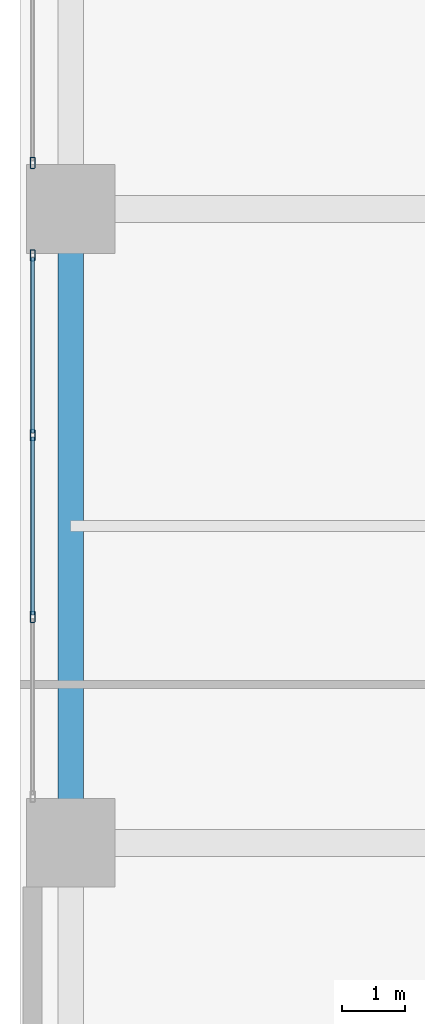
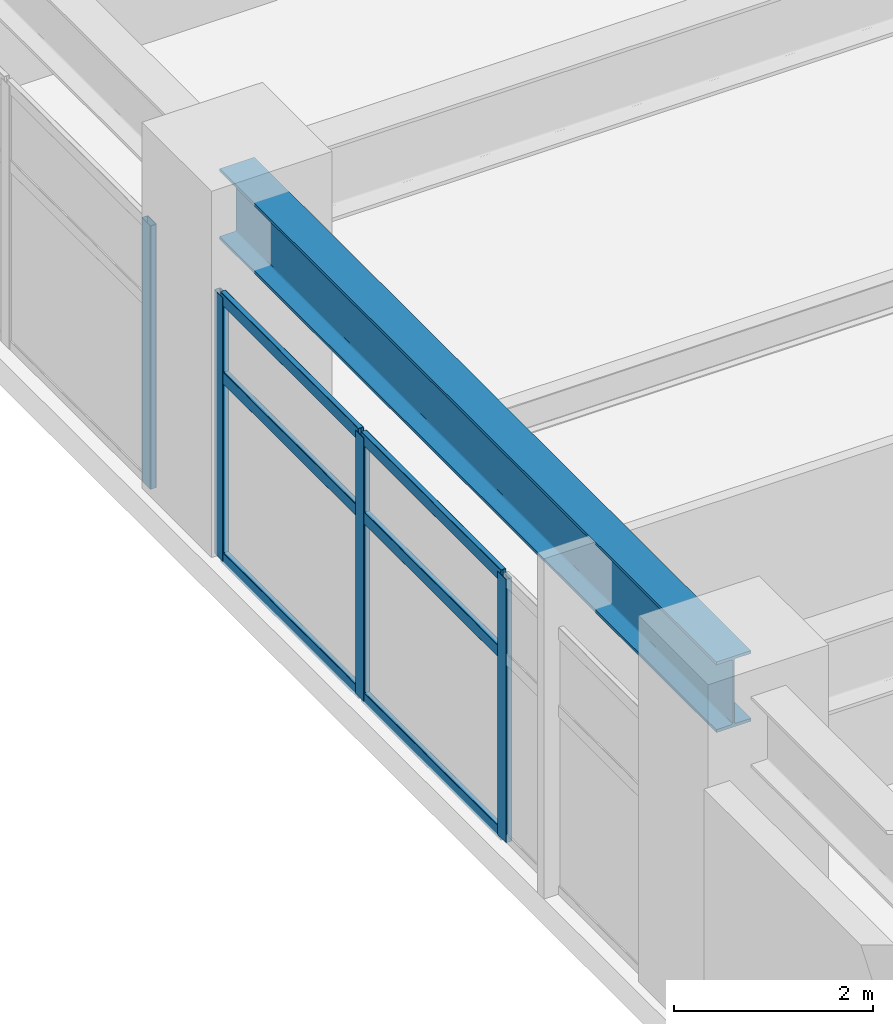
# One storey, part 7 of 28: 10 members, 1 beam, 2 elements without a shape of their own.
"""IFC4 building model written with IfcOpenShell, lengths in metres."""

from ifc_helpers import new_model, si_unit, direction, frame, origin, origin_2d, place, context, subcontext, project, spatial, hollow_rectangle, i_section, extrude, material, layer, layer_set, material_profile, profile_set, type_object, element, aggregate, save


model = new_model("IFC4")

# Units and contexts
model_context = context("Model", 3, precision=1e-05, world=origin(), true_north=direction((0.0, 1.0)))
body_context = subcontext(model_context, "Body", "Model", "MODEL_VIEW")
ifc_project = project(units=[si_unit("LENGTHUNIT", "METRE"), si_unit("AREAUNIT", "SQUARE_METRE"), si_unit("VOLUMEUNIT", "CUBIC_METRE"), si_unit("PLANEANGLEUNIT", "RADIAN"), si_unit("MASSUNIT", "GRAM", prefix="KILO")], contexts=[model_context])

# Site, building, storey
site_placement = place(None, origin())
site = spatial("IfcSite", under=ifc_project, at=site_placement, CompositionType="ELEMENT")
building_placement = place(site_placement, origin())
building = spatial("IfcBuilding", under=site, at=building_placement, Name="Soratama Intermodal Tower", CompositionType="ELEMENT")
storey_placement = place(building_placement, frame((0.0, 0.0, 20.699951171875)))
storey = spatial("IfcBuildingStorey", under=building, at=storey_placement, Name="L04", CompositionType="ELEMENT", Elevation=20.699951171875)

# Beam
ifc_material_1 = material(Name="Structural steel ASTM A992 Grade 50", Category="steel")
ifc_material_profile_1 = material_profile(ifc_material_1, i_section(OverallWidth=0.403076171875, OverallDepth=0.867919921875, WebThickness=0.02099609375, FlangeThickness=0.03564453125, FilletRadius=0.01806640625, at=origin_2d()), Name="W33X241")
ifc_profile_set_1 = profile_set([ifc_material_profile_1], Name="Structural steel ASTM A992 Grade 50")
beam_type = type_object("IfcBeamType", Name="BM-POD-EXT-W33", PredefinedType="BEAM", material=ifc_profile_set_1)
beam_placement = place(storey_placement, frame((0.800048828125, 15.0, 3.74609375), z_axis=(0.0, 1.0, 0.0), x_axis=(-1.0, 0.0, 0.0)))
element("IfcBeam", 1, at=beam_placement, inside=storey, type_object=beam_type, Name="L04 Station Girder Y1-2", PredefinedType="BEAM", context=body_context, shape_type="SweptSolid", body=[
    extrude(i_section(OverallWidth=0.403076171875, OverallDepth=0.867919921875, WebThickness=0.02099609375, FlangeThickness=0.03564453125, FilletRadius=0.01806640625, at=origin_2d()), origin(), (0.0, 0.0, 1.0), 10.0),
])

# Curtain wall, members
ifc_material_2 = material(Name="Double-glazed aluminium curtain wall", Category="aluminium")
ifc_layer = layer(ifc_material_2, 0.159912109375)
ifc_layer_set = layer_set([ifc_layer], Name="Double-glazed aluminium curtain wall")
curtain_wall_type = type_object("IfcCurtainWallType", Name="CW-SYS-1", PredefinedType="NOTDEFINED", material=ifc_layer_set)
curtain_wall_1_placement = place(storey_placement, origin())
curtain_wall_1 = element("IfcCurtainWall", 2, at=curtain_wall_1_placement, inside=storey, type_object=curtain_wall_type, Name="L04 Station Curtain Wall W1", PredefinedType="NOTDEFINED")
ifc_material_3 = material(Name="Anodised aluminium AA 6063-T6", Category="aluminium")
ifc_material_profile_2 = material_profile(ifc_material_3, hollow_rectangle(XDim=0.074951171875, YDim=0.179931640625, WallThickness=0.006103515625, InnerFilletRadius=0.006103515625, OuterFilletRadius=0.011962890625, at=origin_2d()), Name="CWM180X75X6")
ifc_profile_set_2 = profile_set([ifc_material_profile_2], Name="Anodised aluminium AA 6063-T6")
member_type_1 = type_object("IfcMemberType", Name="MT-CWM-1", PredefinedType="MULLION", material=ifc_profile_set_2)
member_1_placement = place(storey_placement, frame((0.199951171875, 18.566650390625, 0.0), z_axis=(0.0, 0.0, 1.0), x_axis=(-1.0, 0.0, 0.0)))
member_1 = element("IfcMember", 3, at=member_1_placement, type_object=member_type_1, Name="CW-1 mullion 2", PredefinedType="MULLION", context=body_context, shape_type="SweptSolid", body=[
    extrude(hollow_rectangle(XDim=0.074951171875, YDim=0.179931640625, WallThickness=0.006103515625, InnerFilletRadius=0.006103515625, OuterFilletRadius=0.011962890625, at=origin_2d()), origin(), (0.0, 0.0, 1.0), 3.236083984375),
])
member_2_placement = place(storey_placement, frame((0.199951171875, 21.433349609375, 0.0), z_axis=(0.0, 0.0, 1.0), x_axis=(-1.0, 0.0, 0.0)))
member_2 = element("IfcMember", 4, at=member_2_placement, type_object=member_type_1, Name="CW-1 mullion 3", PredefinedType="MULLION", context=body_context, shape_type="SweptSolid", body=[
    extrude(hollow_rectangle(XDim=0.074951171875, YDim=0.179931640625, WallThickness=0.006103515625, InnerFilletRadius=0.006103515625, OuterFilletRadius=0.011962890625, at=origin_2d()), origin(), (0.0, 0.0, 1.0), 3.236083984375),
])
member_3_placement = place(storey_placement, frame((0.199951171875, 24.27001953125, 0.0), z_axis=(0.0, 0.0, 1.0), x_axis=(-1.0, 0.0, 0.0)))
member_3 = element("IfcMember", 5, at=member_3_placement, type_object=member_type_1, Name="CW-1 mullion 4", PredefinedType="MULLION", context=body_context, shape_type="SweptSolid", body=[
    extrude(hollow_rectangle(XDim=0.074951171875, YDim=0.179931640625, WallThickness=0.006103515625, InnerFilletRadius=0.006103515625, OuterFilletRadius=0.011962890625, at=origin_2d()), origin(), (0.0, 0.0, 1.0), 3.236083984375),
])

# Curtain wall, member
curtain_wall_2_placement = place(storey_placement, origin())
curtain_wall_2 = element("IfcCurtainWall", 6, at=curtain_wall_2_placement, inside=storey, type_object=curtain_wall_type, Name="L04 Station Curtain Wall W2", PredefinedType="NOTDEFINED")
member_4_placement = place(storey_placement, frame((0.199951171875, 25.72998046875, 0.0), z_axis=(0.0, 0.0, 1.0), x_axis=(-1.0, 0.0, 0.0)))
member_4 = element("IfcMember", 7, at=member_4_placement, type_object=member_type_1, Name="CW-1 mullion 1", PredefinedType="MULLION", context=body_context, shape_type="SweptSolid", body=[
    extrude(hollow_rectangle(XDim=0.074951171875, YDim=0.179931640625, WallThickness=0.006103515625, InnerFilletRadius=0.006103515625, OuterFilletRadius=0.011962890625, at=origin_2d()), origin(), (0.0, 0.0, 1.0), 3.236083984375),
])
aggregate(curtain_wall_2, [member_4])

# Member
ifc_material_4 = material(Name="Anodised aluminium AA 6063-T6", Category="aluminium")
ifc_material_profile_3 = material_profile(ifc_material_4, hollow_rectangle(XDim=0.06494140625, YDim=0.14990234375, WallThickness=0.0048828125, InnerFilletRadius=0.0048828125, OuterFilletRadius=0.010009765625, at=origin_2d()), Name="CWT150X65X5")
ifc_profile_set_3 = profile_set([ifc_material_profile_3], Name="Anodised aluminium AA 6063-T6")
member_type_2 = type_object("IfcMemberType", Name="TT-CWT-1", PredefinedType="USERDEFINED", material=ifc_profile_set_3)
member_5_placement = place(storey_placement, frame((0.199951171875, 18.5966796875, 0.030029296875), z_axis=(0.0, 1.0, 0.0), x_axis=(-1.0, 0.0, 0.0)))
member_5 = element("IfcMember", 8, at=member_5_placement, type_object=member_type_2, Name="CW-1 transom 2.1", ObjectType="TRANSOM", PredefinedType="USERDEFINED", context=body_context, shape_type="SweptSolid", body=[
    extrude(hollow_rectangle(XDim=0.06494140625, YDim=0.14990234375, WallThickness=0.0048828125, InnerFilletRadius=0.0048828125, OuterFilletRadius=0.010009765625, at=origin_2d()), origin(), (0.0, 0.0, 1.0), 2.806640625),
])

member_6_placement = place(storey_placement, frame((0.199951171875, 18.5966796875, 2.25), z_axis=(0.0, 1.0, 0.0), x_axis=(-1.0, 0.0, 0.0)))
member_6 = element("IfcMember", 9, at=member_6_placement, type_object=member_type_2, Name="CW-1 transom 2.2", ObjectType="TRANSOM", PredefinedType="USERDEFINED", context=body_context, shape_type="SweptSolid", body=[
    extrude(hollow_rectangle(XDim=0.06494140625, YDim=0.14990234375, WallThickness=0.0048828125, InnerFilletRadius=0.0048828125, OuterFilletRadius=0.010009765625, at=origin_2d()), origin(), (0.0, 0.0, 1.0), 2.806640625),
])

member_7_placement = place(storey_placement, frame((0.199951171875, 18.5966796875, 3.2060546875), z_axis=(0.0, 1.0, 0.0), x_axis=(-1.0, 0.0, 0.0)))
member_7 = element("IfcMember", 10, at=member_7_placement, type_object=member_type_2, Name="CW-1 transom 2.3", ObjectType="TRANSOM", PredefinedType="USERDEFINED", context=body_context, shape_type="SweptSolid", body=[
    extrude(hollow_rectangle(XDim=0.06494140625, YDim=0.14990234375, WallThickness=0.0048828125, InnerFilletRadius=0.0048828125, OuterFilletRadius=0.010009765625, at=origin_2d()), origin(), (0.0, 0.0, 1.0), 2.806640625),
])

member_8_placement = place(storey_placement, frame((0.199951171875, 21.46337890625, 0.030029296875), z_axis=(0.0, 1.0, 0.0), x_axis=(-1.0, 0.0, 0.0)))
member_8 = element("IfcMember", 11, at=member_8_placement, type_object=member_type_2, Name="CW-1 transom 3.1", ObjectType="TRANSOM", PredefinedType="USERDEFINED", context=body_context, shape_type="SweptSolid", body=[
    extrude(hollow_rectangle(XDim=0.06494140625, YDim=0.14990234375, WallThickness=0.0048828125, InnerFilletRadius=0.0048828125, OuterFilletRadius=0.010009765625, at=origin_2d()), origin(), (0.0, 0.0, 1.0), 2.776611328125),
])

member_9_placement = place(storey_placement, frame((0.199951171875, 21.46337890625, 2.25), z_axis=(0.0, 1.0, 0.0), x_axis=(-1.0, 0.0, 0.0)))
member_9 = element("IfcMember", 12, at=member_9_placement, type_object=member_type_2, Name="CW-1 transom 3.2", ObjectType="TRANSOM", PredefinedType="USERDEFINED", context=body_context, shape_type="SweptSolid", body=[
    extrude(hollow_rectangle(XDim=0.06494140625, YDim=0.14990234375, WallThickness=0.0048828125, InnerFilletRadius=0.0048828125, OuterFilletRadius=0.010009765625, at=origin_2d()), origin(), (0.0, 0.0, 1.0), 2.776611328125),
])

member_10_placement = place(storey_placement, frame((0.199951171875, 21.46337890625, 3.2060546875), z_axis=(0.0, 1.0, 0.0), x_axis=(-1.0, 0.0, 0.0)))
member_10 = element("IfcMember", 13, at=member_10_placement, type_object=member_type_2, Name="CW-1 transom 3.3", ObjectType="TRANSOM", PredefinedType="USERDEFINED", context=body_context, shape_type="SweptSolid", body=[
    extrude(hollow_rectangle(XDim=0.06494140625, YDim=0.14990234375, WallThickness=0.0048828125, InnerFilletRadius=0.0048828125, OuterFilletRadius=0.010009765625, at=origin_2d()), origin(), (0.0, 0.0, 1.0), 2.776611328125),
])

aggregate(curtain_wall_1, [member_1, member_2, member_3, member_5, member_6, member_7, member_8, member_9, member_10])

save(model, "model.ifc")
